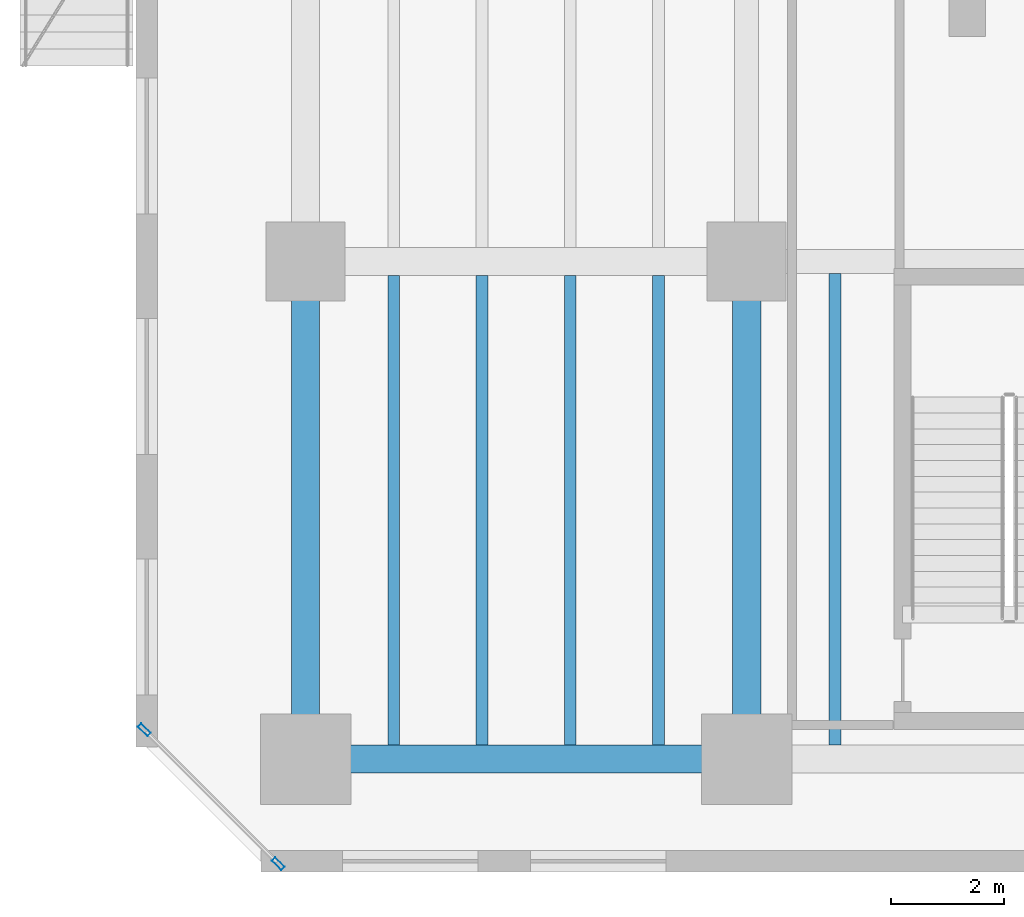
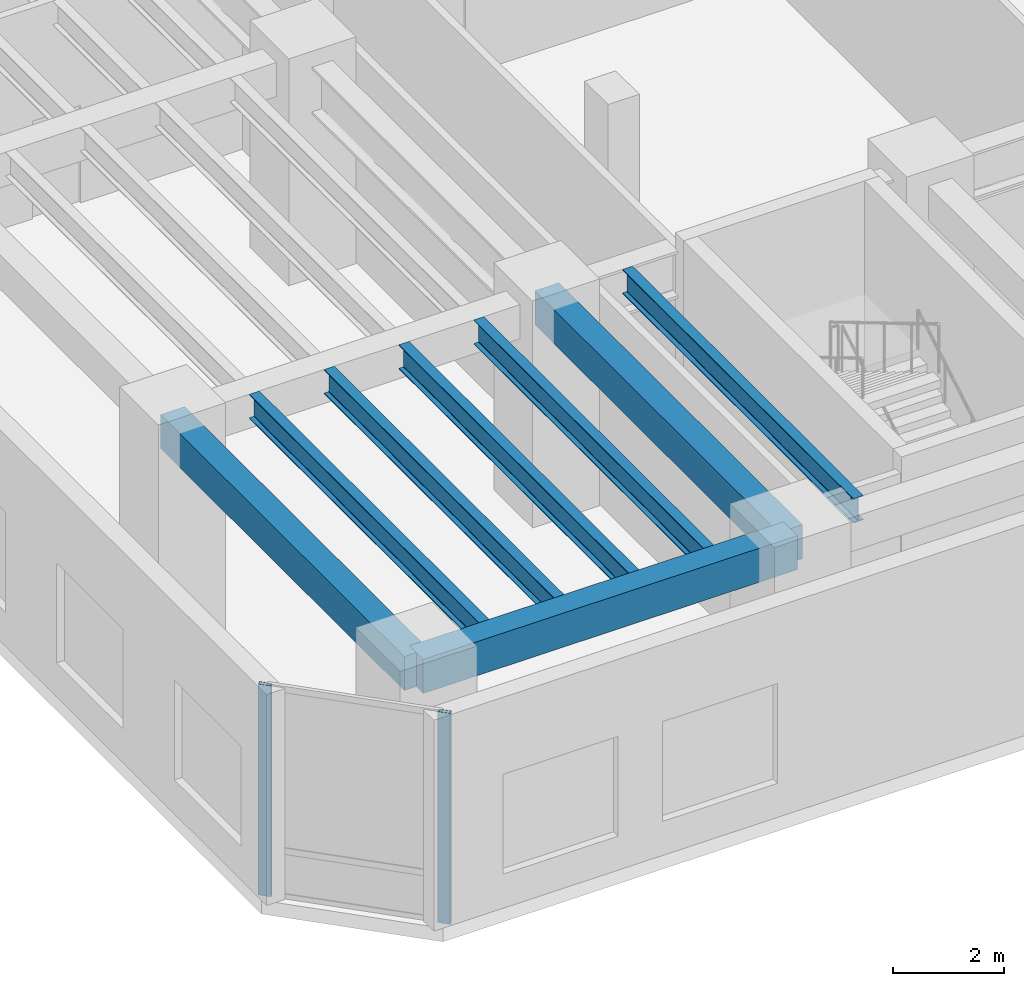
# One storey, part 2 of 19: 8 beams, 2 members, 1 element without a shape of its own.
"""IFC4 building model written with IfcOpenShell, lengths in metres."""

from ifc_helpers import new_model, si_unit, direction, frame, origin, origin_2d, place, context, subcontext, project, spatial, rectangle, hollow_rectangle, i_section, extrude, material, layer, layer_set, material_profile, profile_set, type_object, element, aggregate, save


model = new_model("IFC4")

# Units and contexts
model_context = context("Model", 3, precision=1e-05, world=origin(), true_north=direction((0.0, 1.0)))
body_context = subcontext(model_context, "Body", "Model", "MODEL_VIEW")
ifc_project = project(units=[si_unit("LENGTHUNIT", "METRE"), si_unit("AREAUNIT", "SQUARE_METRE"), si_unit("VOLUMEUNIT", "CUBIC_METRE"), si_unit("PLANEANGLEUNIT", "RADIAN"), si_unit("MASSUNIT", "GRAM", prefix="KILO")], contexts=[model_context])

# Site, building, storey
site_placement = place(None, origin())
site = spatial("IfcSite", under=ifc_project, at=site_placement, CompositionType="ELEMENT")
building_placement = place(site_placement, origin())
building = spatial("IfcBuilding", under=site, at=building_placement, Name="Kestravale Grand Hotel", CompositionType="ELEMENT")
storey_placement = place(building_placement, frame((0.0, 0.0, 5.39990234375)))
storey = spatial("IfcBuildingStorey", under=building, at=storey_placement, Name="L01", CompositionType="ELEMENT", Elevation=5.39990234375)

# Beams
ifc_material_1 = material(Name="Steel ASTM A992 Grade 50", Category="steel")
ifc_material_profile_1 = material_profile(ifc_material_1, i_section(OverallWidth=0.2099609375, OverallDepth=0.535888671875, WebThickness=0.010986328125, FlangeThickness=0.017333984375, FilletRadius=0.017578125, at=origin_2d()))
ifc_profile_set_1 = profile_set([ifc_material_profile_1], Name="Steel ASTM A992 Grade 50")
beam_type_1 = type_object("IfcBeamType", Name="B-FLR-JST21", PredefinedType="JOIST", material=ifc_profile_set_1)
for number, where, z_axis, x_axis, name in (
    (1, (1.56005859375, 2.64990234375, 4.382080078125), (0.0, 1.0, 0.0), (-1.0, 0.0, 0.0), "L01 floor joist 1-2/B-C #1"),
    (2, (3.1201171875, 2.64990234375, 4.382080078125), (0.0, 1.0, 0.0), (-1.0, 0.0, 0.0), "L01 floor joist 1-2/B-C #2"),
    (3, (4.679931640625, 2.64990234375, 4.382080078125), (0.0, 1.0, 0.0), (-1.0, 0.0, 0.0), "L01 floor joist 1-2/B-C #3"),
    (4, (6.239990234375, 2.64990234375, 4.382080078125), (0.0, 1.0, 0.0), (-1.0, 0.0, 0.0), "L01 floor joist 1-2/B-C #4"),
):
    element("IfcBeam", number, at=place(storey_placement, frame(where, z_axis=z_axis, x_axis=x_axis)), inside=storey, type_object=beam_type_1, Name=name, PredefinedType="JOIST", context=body_context, shape_type="SweptSolid", body=[
        extrude(i_section(OverallWidth=0.2099609375, OverallDepth=0.535888671875, WebThickness=0.010986328125, FlangeThickness=0.017333984375, FilletRadius=0.017578125, at=origin_2d()), origin(), (0.0, 0.0, 1.0), 8.300048828125),
    ])
beam_1_placement = place(storey_placement, frame((9.360107421875, 2.64990234375, 4.382080078125), z_axis=(0.0, 1.0, 0.0), x_axis=(-1.0, 0.0, 0.0)))
element("IfcBeam", 5, at=beam_1_placement, inside=storey, type_object=beam_type_1, Name="L01 floor joist 2-3/B-C #1", PredefinedType="JOIST", context=body_context, shape_type="SweptSolid", body=[
    extrude(i_section(OverallWidth=0.2099609375, OverallDepth=0.535888671875, WebThickness=0.010986328125, FlangeThickness=0.017333984375, FilletRadius=0.017578125, at=origin_2d()), origin(), (0.0, 0.0, 1.0), 8.336669921875),
])
ifc_material_2 = material(Name="Concrete f'c 45 MPa", Category="concrete")
ifc_material_profile_2 = material_profile(ifc_material_2, rectangle(XDim=0.5, YDim=0.75, at=origin_2d()))
ifc_profile_set_2 = profile_set([ifc_material_profile_2], Name="Concrete f'c 45 MPa")
beam_type_2 = type_object("IfcBeamType", Name="B-FLR-RC750", PredefinedType="SPANDREL", material=ifc_profile_set_2)
beam_2_placement = place(storey_placement, frame((0.0, 2.39990234375, 4.275146484375), z_axis=(1.0, 0.0, 0.0), x_axis=(0.0, 1.0, 0.0)))
element("IfcBeam", 6, at=beam_2_placement, inside=storey, type_object=beam_type_2, Name="L01 spandrel B:1-2", PredefinedType="SPANDREL", context=body_context, shape_type="SweptSolid", body=[
    extrude(rectangle(XDim=0.5, YDim=0.75, at=origin_2d()), origin(), (0.0, 0.0, 1.0), 7.800048828125),
])
for number, where, z_axis, x_axis, name in (
    (7, (0.0, 2.39990234375, 4.275146484375), (0.0, 1.0, 0.0), (-1.0, 0.0, 0.0), "L01 spandrel 1:B-C"),
    (8, (7.800048828125, 2.39990234375, 4.275146484375), (0.0, 1.0, 0.0), (-1.0, 0.0, 0.0), "L01 spandrel 2:B-C"),
):
    element("IfcBeam", number, at=place(storey_placement, frame(where, z_axis=z_axis, x_axis=x_axis)), inside=storey, type_object=beam_type_2, Name=name, PredefinedType="SPANDREL", context=body_context, shape_type="SweptSolid", body=[
        extrude(rectangle(XDim=0.5, YDim=0.75, at=origin_2d()), origin(), (0.0, 0.0, 1.0), 8.800048828125),
    ])

# Curtain wall, members
ifc_material_3 = material(Name="Thermally broken champagne-bronze aluminium and low-E glazing", Category="aluminium")
ifc_layer = layer(ifc_material_3, 0.239990234375)
ifc_layer_set = layer_set([ifc_layer], Name="CW-POD")
curtain_wall_type = type_object("IfcCurtainWallType", Name="CW-POD", PredefinedType="NOTDEFINED", material=ifc_layer_set)
curtain_wall_placement = place(storey_placement, origin())
curtain_wall = element("IfcCurtainWall", 9, at=curtain_wall_placement, inside=storey, type_object=curtain_wall_type, Name="L01 unitised curtain wall 8", PredefinedType="NOTDEFINED")
ifc_material_4 = material(Name="Aluminium 6063-T6 anodised", Category="aluminium")
ifc_material_profile_3 = material_profile(ifc_material_4, hollow_rectangle(XDim=0.0849609375, YDim=0.239990234375, WallThickness=0.00439453125, at=origin_2d()))
ifc_profile_set_3 = profile_set([ifc_material_profile_3], Name="Aluminium 6063-T6 anodised")
member_type = type_object("IfcMemberType", Name="CW-MUL-240", PredefinedType="MULLION", material=ifc_profile_set_3)
member_1_placement = place(storey_placement, frame((-2.849853515625, 2.91845703125, 0.0), z_axis=(0.0, 0.0, 1.0), x_axis=(0.707106781187, 0.707106781187, 0.0)))
member_1 = element("IfcMember", 10, at=member_1_placement, type_object=member_type, Name="CW-POD mullion 1", PredefinedType="MULLION", context=body_context, shape_type="SweptSolid", body=[
    extrude(hollow_rectangle(XDim=0.0849609375, YDim=0.239990234375, WallThickness=0.00439453125, at=origin_2d()), origin(), (0.0, 0.0, 1.0), 4.650146484375),
])
member_2_placement = place(storey_placement, frame((-0.4814453125, 0.55029296875, 0.0), z_axis=(0.0, 0.0, 1.0), x_axis=(0.707106781187, 0.707106781187, 0.0)))
member_2 = element("IfcMember", 11, at=member_2_placement, type_object=member_type, Name="CW-POD mullion 2", PredefinedType="MULLION", context=body_context, shape_type="SweptSolid", body=[
    extrude(hollow_rectangle(XDim=0.0849609375, YDim=0.239990234375, WallThickness=0.00439453125, at=origin_2d()), origin(), (0.0, 0.0, 1.0), 4.650146484375),
])
aggregate(curtain_wall, [member_1, member_2])

save(model, "model.ifc")
